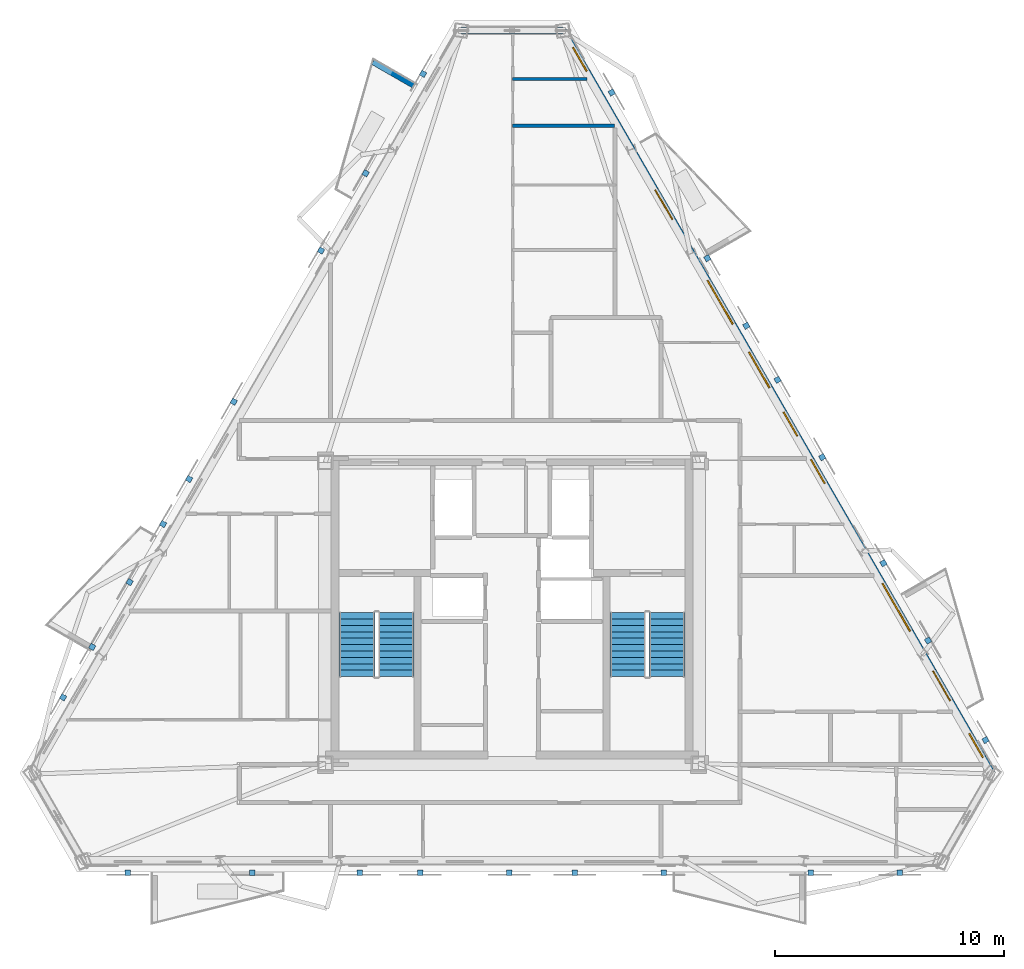
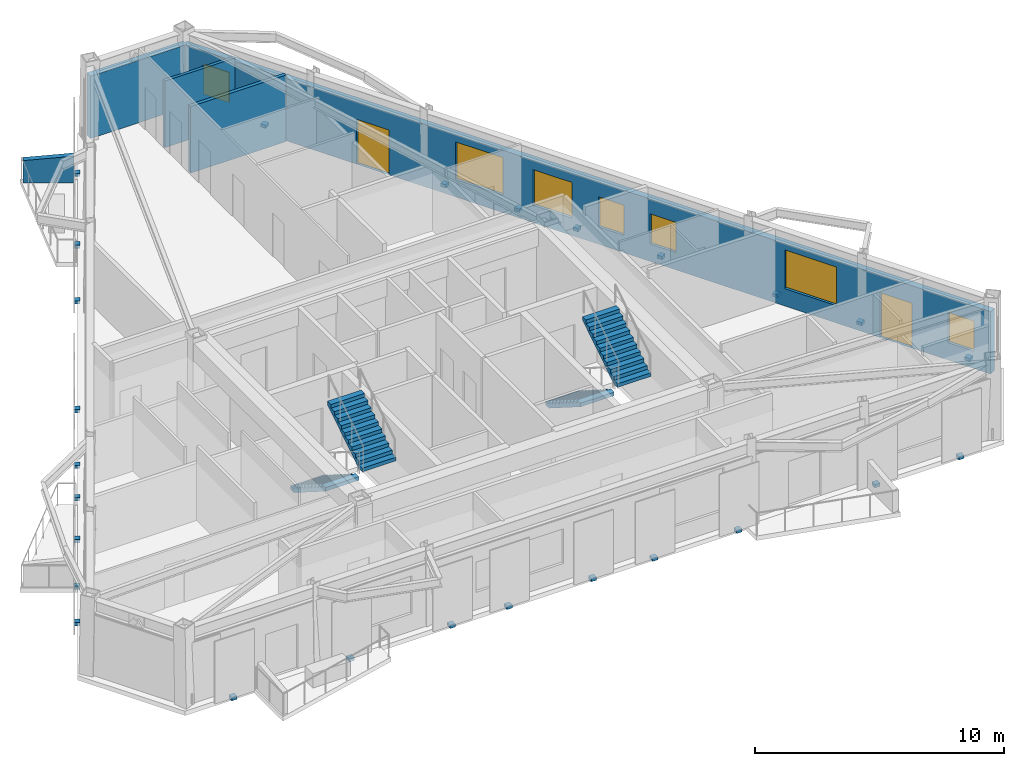
# One storey, part 6 of 9: 26 discrete accessories, 7 windows, 5 walls, 4 stair flights, 2 doors, 9 openings, 2 elements without a shape of their own.
"""IFC4 building model written with IfcOpenShell, lengths in metres."""

from ifc_helpers import new_model, si_unit, direction, frame, frame_2d, origin, origin_2d, place, context, subcontext, project, spatial, polyline, rectangle, outline, extrude, material, layer, layer_set, type_object, element, fill, aggregate, save


model = new_model("IFC4")

# Units and contexts
model_context = context("Model", 3, precision=1e-05, world=origin(), true_north=direction((0.0, 1.0)))
body_context = subcontext(model_context, "Body", "Model", "MODEL_VIEW")
ifc_project = project(units=[si_unit("LENGTHUNIT", "METRE"), si_unit("AREAUNIT", "SQUARE_METRE"), si_unit("VOLUMEUNIT", "CUBIC_METRE"), si_unit("PLANEANGLEUNIT", "RADIAN"), si_unit("MASSUNIT", "GRAM", prefix="KILO")], contexts=[model_context])

# Site, building, storey
site_placement = place(None, origin())
site = spatial("IfcSite", under=ifc_project, at=site_placement, CompositionType="ELEMENT")
building_placement = place(site_placement, origin())
building = spatial("IfcBuilding", under=site, at=building_placement, Name="Oramaril Tower", CompositionType="ELEMENT")
storey_placement = place(building_placement, frame((0.0, 0.0, 281.10009765625)))
storey = spatial("IfcBuildingStorey", under=building, at=storey_placement, Name="L74", CompositionType="ELEMENT", Elevation=281.10009765625)

# Wall, openings, doors, windows
ifc_material_1 = material(Name="Warm Cream Limestone", Category="masonry")
ifc_layer_1 = layer(ifc_material_1, 0.2900390625)
ifc_layer_set_1 = layer_set([ifc_layer_1], Name="WT-EXT29")
wall_type_1 = type_object("IfcWallType", Name="WT-EXT29", PredefinedType="SOLIDWALL", material=ifc_layer_set_1)
wall_1_placement = place(storey_placement, frame((58.45361328125, 10.584228515625, 0.0), z_axis=(0.0, 0.0, 1.0), x_axis=(-0.500002460556, 0.866023983177, 0.0)))
wall_1 = element("IfcWall", 1, at=wall_1_placement, inside=storey, type_object=wall_type_1, Name="L74 Tower Limestone Facade Wall 4M", PredefinedType="SOLIDWALL", context=body_context, shape_type="SweptSolid", body=[
    extrude(rectangle(XDim=37.435302734375, YDim=0.2900390625, at=frame_2d((18.7177734375, 0.0))), origin(), (0.0, 0.0, 1.0), 3.057861328125),
])
opening_1_placement = place(wall_1_placement, frame((3.639404296875, 0.0, 0.0)))
opening_1 = element("IfcOpeningElement", 2, at=opening_1_placement, cuts=wall_1, Name="Opening D-L74-BAL-NE1", PredefinedType="OPENING", context=body_context, shape_type="SweptSolid", body=[
    extrude(rectangle(XDim=1.5, YDim=2.199951171875, at=frame_2d((0.75, 1.10009765625))), frame((0.0, 0.14501953125, 0.0), z_axis=(0.0, -1.0, 0.0), x_axis=(1.0, 0.0, 0.0)), (0.0, 0.0, 1.0), 0.2900390625),
])
opening_2_placement = place(wall_1_placement, frame((27.90087890625, 0.0, 0.0)))
opening_2 = element("IfcOpeningElement", 3, at=opening_2_placement, cuts=wall_1, Name="Opening D-L74-BAL-NE2", PredefinedType="OPENING", context=body_context, shape_type="SweptSolid", body=[
    extrude(rectangle(XDim=1.5, YDim=2.199951171875, at=frame_2d((0.75, 1.10009765625))), frame((0.0, 0.14501953125, 0.0), z_axis=(0.0, -1.0, 0.0), x_axis=(1.0, 0.0, 0.0)), (0.0, 0.0, 1.0), 0.2900390625),
])
opening_3_placement = place(wall_1_placement, frame((0.78173828125, 0.0, 0.85009765625)))
opening_3 = element("IfcOpeningElement", 4, at=opening_3_placement, cuts=wall_1, Name="Opening WN-09", PredefinedType="OPENING", context=body_context, shape_type="SweptSolid", body=[
    extrude(rectangle(XDim=1.199951171875, YDim=1.47998046875, at=frame_2d((0.60009765625, 0.739990234375))), frame((0.0, 0.14501953125, 0.0), z_axis=(0.0, -1.0, 0.0), x_axis=(1.0, 0.0, 0.0)), (0.0, 0.0, 1.0), 0.2900390625),
])
opening_4_placement = place(wall_1_placement, frame((7.149169921875, 0.0, 0.85009765625)))
opening_4 = element("IfcOpeningElement", 5, at=opening_4_placement, cuts=wall_1, Name="Opening WN-03", PredefinedType="OPENING", context=body_context, shape_type="SweptSolid", body=[
    extrude(rectangle(XDim=2.39990234375, YDim=1.89990234375, at=frame_2d((1.199951171875, 0.949951171875))), frame((0.0, 0.14501953125, 0.0), z_axis=(0.0, -1.0, 0.0), x_axis=(1.0, 0.0, 0.0)), (0.0, 0.0, 1.0), 0.2900390625),
])
opening_5_placement = place(wall_1_placement, frame((35.3798828125, 0.0, 0.85009765625)))
opening_5 = element("IfcOpeningElement", 6, at=opening_5_placement, cuts=wall_1, Name="Opening WN-09", PredefinedType="OPENING", context=body_context, shape_type="SweptSolid", body=[
    extrude(rectangle(XDim=1.199951171875, YDim=1.47998046875, at=frame_2d((0.60009765625, 0.739990234375))), frame((0.0, 0.14501953125, 0.0), z_axis=(0.0, -1.0, 0.0), x_axis=(1.0, 0.0, 0.0)), (0.0, 0.0, 1.0), 0.2900390625),
])
opening_6_placement = place(wall_1_placement, frame((16.993896484375, 0.0, 0.85009765625)))
opening_6 = element("IfcOpeningElement", 7, at=opening_6_placement, cuts=wall_1, Name="Opening WN-09", PredefinedType="OPENING", context=body_context, shape_type="SweptSolid", body=[
    extrude(rectangle(XDim=1.199951171875, YDim=1.47998046875, at=frame_2d((0.60009765625, 0.739990234375))), frame((0.0, 0.14501953125, 0.0), z_axis=(0.0, -1.0, 0.0), x_axis=(1.0, 0.0, 0.0)), (0.0, 0.0, 1.0), 0.2900390625),
])
opening_7_placement = place(wall_1_placement, frame((19.422607421875, 0.0, 0.85009765625)))
opening_7 = element("IfcOpeningElement", 8, at=opening_7_placement, cuts=wall_1, Name="Opening WN-06", PredefinedType="OPENING", context=body_context, shape_type="SweptSolid", body=[
    extrude(rectangle(XDim=1.800048828125, YDim=1.75, at=frame_2d((0.89990234375, 0.875))), frame((0.0, 0.14501953125, 0.0), z_axis=(0.0, -1.0, 0.0), x_axis=(1.0, 0.0, 0.0)), (0.0, 0.0, 1.0), 0.2900390625),
])
opening_8_placement = place(wall_1_placement, frame((22.625732421875, 0.0, 0.85009765625)))
opening_8 = element("IfcOpeningElement", 9, at=opening_8_placement, cuts=wall_1, Name="Opening WN-04", PredefinedType="OPENING", context=body_context, shape_type="SweptSolid", body=[
    extrude(rectangle(XDim=2.199951171875, YDim=1.85009765625, at=frame_2d((1.10009765625, 0.925048828125))), frame((0.0, 0.14501953125, 0.0), z_axis=(0.0, -1.0, 0.0), x_axis=(1.0, 0.0, 0.0)), (0.0, 0.0, 1.0), 0.2900390625),
])
opening_9_placement = place(wall_1_placement, frame((14.597900390625, 0.0, 0.85009765625)))
opening_9 = element("IfcOpeningElement", 10, at=opening_9_placement, cuts=wall_1, Name="Opening WN-09", PredefinedType="OPENING", context=body_context, shape_type="SweptSolid", body=[
    extrude(rectangle(XDim=1.199951171875, YDim=1.47998046875, at=frame_2d((0.60009765625, 0.739990234375))), frame((0.0, 0.14501953125, 0.0), z_axis=(0.0, -1.0, 0.0), x_axis=(1.0, 0.0, 0.0)), (0.0, 0.0, 1.0), 0.2900390625),
])
ifc_material_2 = material(Name="Anodised Aluminium 6063-T6", Category="aluminium")
door_type = type_object("IfcDoorType", Name="DT-BAL", OperationType="NOTDEFINED", PredefinedType="DOOR", material=ifc_material_2)
door_1_placement = place(opening_1_placement, origin())
door_1 = element("IfcDoor", 11, at=door_1_placement, inside=storey, type_object=door_type, Name="L74 Balcony Glazed Door L74-BAL-NE1", OperationType="SINGLE_SWING_LEFT", OverallHeight=2.199951171875, OverallWidth=1.5, PredefinedType="DOOR", context=body_context, shape_type="SweptSolid", body=[
    extrude(rectangle(XDim=1.5, YDim=2.199951171875, at=frame_2d((0.75, 1.10009765625))), frame((0.0, 0.02490234375, 0.0), z_axis=(0.0, -1.0, 0.0), x_axis=(1.0, 0.0, 0.0)), (0.0, 0.0, 1.0), 0.050048828125),
])
fill(opening_1, door_1)
door_2_placement = place(opening_2_placement, origin())
door_2 = element("IfcDoor", 12, at=door_2_placement, inside=storey, type_object=door_type, Name="L74 Balcony Glazed Door L74-BAL-NE2", OperationType="SINGLE_SWING_RIGHT", OverallHeight=2.199951171875, OverallWidth=1.5, PredefinedType="DOOR", context=body_context, shape_type="SweptSolid", body=[
    extrude(rectangle(XDim=1.5, YDim=2.199951171875, at=frame_2d((0.75, 1.10009765625))), frame((0.0, 0.02490234375, 0.0), z_axis=(0.0, -1.0, 0.0), x_axis=(1.0, 0.0, 0.0)), (0.0, 0.0, 1.0), 0.050048828125),
])
fill(opening_2, door_2)
ifc_material_3 = material(Name="Coastal Low-E Insulated Glass", Category="glass")
window_type_1 = type_object("IfcWindowType", Name="WNT-03", PartitioningType="SINGLE_PANEL", PredefinedType="WINDOW", material=ifc_material_3)
window_1_placement = place(opening_4_placement, origin())
window_1 = element("IfcWindow", 13, at=window_1_placement, inside=storey, type_object=window_type_1, Name="L74 Chicago Bay Window WN-03", OverallHeight=1.89990234375, OverallWidth=2.39990234375, PartitioningType="SINGLE_PANEL", PredefinedType="WINDOW", context=body_context, shape_type="SweptSolid", body=[
    extrude(rectangle(XDim=2.39990234375, YDim=1.89990234375, at=frame_2d((1.199951171875, 0.949951171875))), frame((0.0, 0.030029296875, 0.0), z_axis=(0.0, -1.0, 0.0), x_axis=(1.0, 0.0, 0.0)), (0.0, 0.0, 1.0), 0.06005859375),
])
fill(opening_4, window_1)
ifc_material_4 = material(Name="Coastal Low-E Insulated Glass", Category="glass")
window_type_2 = type_object("IfcWindowType", Name="WNT-04", PartitioningType="SINGLE_PANEL", PredefinedType="WINDOW", material=ifc_material_4)
window_2_placement = place(opening_8_placement, origin())
window_2 = element("IfcWindow", 14, at=window_2_placement, inside=storey, type_object=window_type_2, Name="L74 Chicago Bay Window WN-04", OverallHeight=1.85009765625, OverallWidth=2.199951171875, PartitioningType="SINGLE_PANEL", PredefinedType="WINDOW", context=body_context, shape_type="SweptSolid", body=[
    extrude(rectangle(XDim=2.199951171875, YDim=1.85009765625, at=frame_2d((1.10009765625, 0.925048828125))), frame((0.0, 0.030029296875, 0.0), z_axis=(0.0, -1.0, 0.0), x_axis=(1.0, 0.0, 0.0)), (0.0, 0.0, 1.0), 0.06005859375),
])
fill(opening_8, window_2)
ifc_material_5 = material(Name="Coastal Low-E Insulated Glass", Category="glass")
window_type_3 = type_object("IfcWindowType", Name="WNT-06", PartitioningType="SINGLE_PANEL", PredefinedType="WINDOW", material=ifc_material_5)
window_3_placement = place(opening_7_placement, origin())
window_3 = element("IfcWindow", 15, at=window_3_placement, inside=storey, type_object=window_type_3, Name="L74 Chicago Bay Window WN-06", OverallHeight=1.75, OverallWidth=1.800048828125, PartitioningType="SINGLE_PANEL", PredefinedType="WINDOW", context=body_context, shape_type="SweptSolid", body=[
    extrude(rectangle(XDim=1.800048828125, YDim=1.75, at=frame_2d((0.89990234375, 0.875))), frame((0.0, 0.030029296875, 0.0), z_axis=(0.0, -1.0, 0.0), x_axis=(1.0, 0.0, 0.0)), (0.0, 0.0, 1.0), 0.06005859375),
])
fill(opening_7, window_3)
ifc_material_6 = material(Name="Coastal Low-E Insulated Glass", Category="glass")
window_type_4 = type_object("IfcWindowType", Name="WNT-09", PartitioningType="SINGLE_PANEL", PredefinedType="WINDOW", material=ifc_material_6)
window_4_placement = place(opening_3_placement, origin())
window_4 = element("IfcWindow", 16, at=window_4_placement, inside=storey, type_object=window_type_4, Name="L74 Chicago Bay Window WN-09", OverallHeight=1.47998046875, OverallWidth=1.199951171875, PartitioningType="SINGLE_PANEL", PredefinedType="WINDOW", context=body_context, shape_type="SweptSolid", body=[
    extrude(rectangle(XDim=1.199951171875, YDim=1.47998046875, at=frame_2d((0.60009765625, 0.739990234375))), frame((0.0, 0.030029296875, 0.0), z_axis=(0.0, -1.0, 0.0), x_axis=(1.0, 0.0, 0.0)), (0.0, 0.0, 1.0), 0.06005859375),
])
fill(opening_3, window_4)
window_5_placement = place(opening_5_placement, origin())
window_5 = element("IfcWindow", 17, at=window_5_placement, inside=storey, type_object=window_type_4, Name="L74 Chicago Bay Window WN-09", OverallHeight=1.47998046875, OverallWidth=1.199951171875, PartitioningType="SINGLE_PANEL", PredefinedType="WINDOW", context=body_context, shape_type="SweptSolid", body=[
    extrude(rectangle(XDim=1.199951171875, YDim=1.47998046875, at=frame_2d((0.60009765625, 0.739990234375))), frame((0.0, 0.030029296875, 0.0), z_axis=(0.0, -1.0, 0.0), x_axis=(1.0, 0.0, 0.0)), (0.0, 0.0, 1.0), 0.06005859375),
])
fill(opening_5, window_5)
window_6_placement = place(opening_6_placement, origin())
window_6 = element("IfcWindow", 18, at=window_6_placement, inside=storey, type_object=window_type_4, Name="L74 Chicago Bay Window WN-09", OverallHeight=1.47998046875, OverallWidth=1.199951171875, PartitioningType="SINGLE_PANEL", PredefinedType="WINDOW", context=body_context, shape_type="SweptSolid", body=[
    extrude(rectangle(XDim=1.199951171875, YDim=1.47998046875, at=frame_2d((0.60009765625, 0.739990234375))), frame((0.0, 0.030029296875, 0.0), z_axis=(0.0, -1.0, 0.0), x_axis=(1.0, 0.0, 0.0)), (0.0, 0.0, 1.0), 0.06005859375),
])
fill(opening_6, window_6)
window_7_placement = place(opening_9_placement, origin())
window_7 = element("IfcWindow", 19, at=window_7_placement, inside=storey, type_object=window_type_4, Name="L74 Apartment Bedroom Window WN-09", OverallHeight=1.47998046875, OverallWidth=1.199951171875, PartitioningType="SINGLE_PANEL", PredefinedType="WINDOW", context=body_context, shape_type="SweptSolid", body=[
    extrude(rectangle(XDim=1.199951171875, YDim=1.47998046875, at=frame_2d((0.60009765625, 0.739990234375))), frame((0.0, 0.030029296875, 0.0), z_axis=(0.0, -1.0, 0.0), x_axis=(1.0, 0.0, 0.0)), (0.0, 0.0, 1.0), 0.06005859375),
])
fill(opening_9, window_7)

# Walls
wall_2_placement = place(storey_placement, frame((39.73583984375, 43.004150390625, 0.0), z_axis=(0.0, 0.0, 1.0), x_axis=(-1.0, 0.0, 0.0)))
element("IfcWall", 20, at=wall_2_placement, inside=storey, type_object=wall_type_1, Name="L74 Tower Limestone Facade Wall 5M", PredefinedType="SOLIDWALL", context=body_context, shape_type="SweptSolid", body=[
    extrude(rectangle(XDim=4.4716796875, YDim=0.2900390625, at=frame_2d((2.23583984375, 0.0))), origin(), (0.0, 0.0, 1.0), 3.057861328125),
])
ifc_material_7 = material(Name="Concrete C40/50", Category="concrete")
ifc_layer_2 = layer(ifc_material_7, 0.22998046875)
ifc_layer_set_2 = layer_set([ifc_layer_2], Name="WT-PRP23")
wall_type_2 = type_object("IfcWallType", Name="WT-PRP23", PredefinedType="PARAPET", material=ifc_layer_set_2)
wall_3_placement = place(storey_placement, frame((33.189208984375, 40.60595703125, 0.0), z_axis=(0.0, 0.0, 1.0), x_axis=(-0.866042246008, 0.499970827278, 0.0)))
element("IfcWall", 21, at=wall_3_placement, inside=storey, type_object=wall_type_2, Name="L74 Trapezoidal Balcony Frame Cheek L74-BAL-NW1-L", PredefinedType="PARAPET", context=body_context, shape_type="SweptSolid", body=[
    extrude(outline(polyline([(0.0, 0.0), (2.0419921875, 0.0), (2.0419921875, 1.099853515625), (0.0, 1.31982421875), (0.0, 0.0)])), frame((0.0, 0.114990234375, 0.0), z_axis=(0.0, -1.0, 0.0), x_axis=(1.0, 0.0, 0.0)), (0.0, 0.0, 1.0), 0.22998046875),
])
ifc_material_8 = material(Name="Acoustic Gypsum Board Partition")
ifc_layer_3 = layer(ifc_material_8, 0.139892578125)
ifc_layer_set_3 = layer_set([ifc_layer_3], Name="WT-PT14")
wall_type_3 = type_object("IfcWallType", Name="WT-PT14", PredefinedType="PARTITIONING", material=ifc_layer_set_3)
wall_4_placement = place(storey_placement, frame((37.52880859375, 40.889892578125, 0.0), z_axis=(0.0, 0.0, 1.0), x_axis=(1.0, 0.0, 0.0)))
element("IfcWall", 22, at=wall_4_placement, inside=storey, type_object=wall_type_3, Name="L74 Interior Partition PT-14", PredefinedType="PARTITIONING", context=body_context, shape_type="SweptSolid", body=[
    extrude(rectangle(XDim=3.255615234375, YDim=0.139892578125, at=frame_2d((1.6279296875, 0.0))), origin(), (0.0, 0.0, 1.0), 3.265869140625),
])
ifc_material_9 = material(Name="Acoustic Gypsum Board Partition")
ifc_layer_4 = layer(ifc_material_9, 0.159912109375)
ifc_layer_set_4 = layer_set([ifc_layer_4], Name="WT-PT16")
wall_type_4 = type_object("IfcWallType", Name="WT-PT16", PredefinedType="PARTITIONING", material=ifc_layer_set_4)
wall_5_placement = place(storey_placement, frame((37.52880859375, 38.840087890625, 0.0), z_axis=(0.0, 0.0, 1.0), x_axis=(1.0, 0.0, 0.0)))
element("IfcWall", 23, at=wall_5_placement, inside=storey, type_object=wall_type_4, Name="L74 Interior Partition PT-16", PredefinedType="PARTITIONING", context=body_context, shape_type="SweptSolid", body=[
    extrude(rectangle(XDim=4.439208984375, YDim=0.159912109375, at=frame_2d((2.2197265625, 0.0))), origin(), (0.0, 0.0, 1.0), 3.265869140625),
])

# Stair, stair flights
ifc_material_10 = material(Name="Concrete C50/60", Category="concrete")
stair_type = type_object("IfcStairType", Name="STT-DG-3900", PredefinedType="HALF_TURN_STAIR", material=ifc_material_10)
stair_1_placement = place(storey_placement, origin())
stair_1 = element("IfcStair", 24, at=stair_1_placement, inside=storey, type_object=stair_type, Name="L74 Protected PFP Exit Stair ST-1", PredefinedType="HALF_TURN_STAIR")
ifc_material_11 = material(Name="Concrete C50/60", Category="concrete")
stair_flight_type = type_object("IfcStairFlightType", Name="SFT-DG-3900", PredefinedType="STRAIGHT", material=ifc_material_11)
stair_flight_1_placement = place(storey_placement, frame((30.72998046875, 17.590087890625, 0.0), z_axis=(0.0, 0.0, 1.0), x_axis=(0.0, -1.0, 0.0)))
stair_flight_1 = element("IfcStairFlight", 25, at=stair_flight_1_placement, type_object=stair_flight_type, Name="ST-1 flight 1", NumberOfRisers=11, NumberOfTreads=10, PredefinedType="STRAIGHT", RiserHeight=0.177272727, TreadLength=0.28, context=body_context, shape_type="SweptSolid", body=[
    extrude(outline(polyline([(0.0, 0.0), (0.0, 0.17724609375), (0.280029296875, 0.17724609375), (0.280029296875, 0.3544921875), (0.56005859375, 0.3544921875), (0.56005859375, 0.53173828125), (0.840087890625, 0.53173828125), (0.840087890625, 0.708984375), (1.1201171875, 0.708984375), (1.1201171875, 0.886474609375), (1.39990234375, 0.886474609375), (1.39990234375, 1.063720703125), (1.679931640625, 1.063720703125), (1.679931640625, 1.240966796875), (1.9599609375, 1.240966796875), (1.9599609375, 1.418212890625), (2.239990234375, 1.418212890625), (2.239990234375, 1.595458984375), (2.52001953125, 1.595458984375), (2.52001953125, 1.772705078125), (2.800048828125, 1.772705078125), (2.800048828125, 1.949951171875), (2.800048828125, 1.59521484375), (0.2802734375, 0.0), (0.0, 0.0)])), frame((0.0, 0.780029296875, 0.0), z_axis=(0.0, -1.0, 0.0), x_axis=(1.0, 0.0, 0.0)), (0.0, 0.0, 1.0), 1.56005859375),
])
stair_flight_2_placement = place(storey_placement, frame((32.43994140625, 14.7900390625, 1.949951171875), z_axis=(0.0, 0.0, 1.0), x_axis=(0.0, 1.0, 0.0)))
stair_flight_2 = element("IfcStairFlight", 26, at=stair_flight_2_placement, type_object=stair_flight_type, Name="ST-1 flight 2", NumberOfRisers=11, NumberOfTreads=10, PredefinedType="STRAIGHT", RiserHeight=0.177272727, TreadLength=0.28, context=body_context, shape_type="SweptSolid", body=[
    extrude(outline(polyline([(0.0, 0.0), (0.0, 0.17724609375), (0.280029296875, 0.17724609375), (0.280029296875, 0.3544921875), (0.56005859375, 0.3544921875), (0.56005859375, 0.53173828125), (0.840087890625, 0.53173828125), (0.840087890625, 0.708984375), (1.1201171875, 0.708984375), (1.1201171875, 0.886474609375), (1.39990234375, 0.886474609375), (1.39990234375, 1.063720703125), (1.679931640625, 1.063720703125), (1.679931640625, 1.240966796875), (1.9599609375, 1.240966796875), (1.9599609375, 1.418212890625), (2.239990234375, 1.418212890625), (2.239990234375, 1.595458984375), (2.52001953125, 1.595458984375), (2.52001953125, 1.772705078125), (2.800048828125, 1.772705078125), (2.800048828125, 1.949951171875), (2.800048828125, 1.59521484375), (0.2802734375, 0.0), (0.0, 0.0)])), frame((0.0, 0.780029296875, 0.0), z_axis=(0.0, -1.0, 0.0), x_axis=(1.0, 0.0, 0.0)), (0.0, 0.0, 1.0), 1.56005859375),
])
aggregate(stair_1, [stair_flight_1, stair_flight_2])

stair_2_placement = place(storey_placement, origin())
stair_2 = element("IfcStair", 27, at=stair_2_placement, inside=storey, type_object=stair_type, Name="L74 Protected PFP Exit Stair ST-2", PredefinedType="HALF_TURN_STAIR")
stair_flight_3_placement = place(storey_placement, frame((42.56005859375, 17.590087890625, 0.0), z_axis=(0.0, 0.0, 1.0), x_axis=(0.0, -1.0, 0.0)))
stair_flight_3 = element("IfcStairFlight", 28, at=stair_flight_3_placement, type_object=stair_flight_type, Name="ST-2 flight 1", NumberOfRisers=11, NumberOfTreads=10, PredefinedType="STRAIGHT", RiserHeight=0.177272727, TreadLength=0.28, context=body_context, shape_type="SweptSolid", body=[
    extrude(outline(polyline([(0.0, 0.0), (0.0, 0.17724609375), (0.280029296875, 0.17724609375), (0.280029296875, 0.3544921875), (0.56005859375, 0.3544921875), (0.56005859375, 0.53173828125), (0.840087890625, 0.53173828125), (0.840087890625, 0.708984375), (1.1201171875, 0.708984375), (1.1201171875, 0.886474609375), (1.39990234375, 0.886474609375), (1.39990234375, 1.063720703125), (1.679931640625, 1.063720703125), (1.679931640625, 1.240966796875), (1.9599609375, 1.240966796875), (1.9599609375, 1.418212890625), (2.239990234375, 1.418212890625), (2.239990234375, 1.595458984375), (2.52001953125, 1.595458984375), (2.52001953125, 1.772705078125), (2.800048828125, 1.772705078125), (2.800048828125, 1.949951171875), (2.800048828125, 1.59521484375), (0.2802734375, 0.0), (0.0, 0.0)])), frame((0.0, 0.780029296875, 0.0), z_axis=(0.0, -1.0, 0.0), x_axis=(1.0, 0.0, 0.0)), (0.0, 0.0, 1.0), 1.56005859375),
])
stair_flight_4_placement = place(storey_placement, frame((44.27001953125, 14.7900390625, 1.949951171875), z_axis=(0.0, 0.0, 1.0), x_axis=(0.0, 1.0, 0.0)))
stair_flight_4 = element("IfcStairFlight", 29, at=stair_flight_4_placement, type_object=stair_flight_type, Name="ST-2 flight 2", NumberOfRisers=11, NumberOfTreads=10, PredefinedType="STRAIGHT", RiserHeight=0.177272727, TreadLength=0.28, context=body_context, shape_type="SweptSolid", body=[
    extrude(outline(polyline([(0.0, 0.0), (0.0, 0.17724609375), (0.280029296875, 0.17724609375), (0.280029296875, 0.3544921875), (0.56005859375, 0.3544921875), (0.56005859375, 0.53173828125), (0.840087890625, 0.53173828125), (0.840087890625, 0.708984375), (1.1201171875, 0.708984375), (1.1201171875, 0.886474609375), (1.39990234375, 0.886474609375), (1.39990234375, 1.063720703125), (1.679931640625, 1.063720703125), (1.679931640625, 1.240966796875), (1.9599609375, 1.240966796875), (1.9599609375, 1.418212890625), (2.239990234375, 1.418212890625), (2.239990234375, 1.595458984375), (2.52001953125, 1.595458984375), (2.52001953125, 1.772705078125), (2.800048828125, 1.772705078125), (2.800048828125, 1.949951171875), (2.800048828125, 1.59521484375), (0.2802734375, 0.0), (0.0, 0.0)])), frame((0.0, 0.780029296875, 0.0), z_axis=(0.0, -1.0, 0.0), x_axis=(1.0, 0.0, 0.0)), (0.0, 0.0, 1.0), 1.56005859375),
])
aggregate(stair_2, [stair_flight_3, stair_flight_4])

# Discrete accessories
for number, where, z_axis, x_axis, name in (
    (30, (33.487060546875, 6.231689453125, -0.14013671875), (0.0, 0.0, 1.0), (1.0, 0.0, 0.0), "L74 Solar Screen Slab Bracket"),
    (31, (37.38720703125, 6.231689453125, -0.14013671875), (0.0, 0.0, 1.0), (1.0, 0.0, 0.0), "L74 Solar Screen Slab Bracket"),
    (32, (40.23046875, 6.231689453125, -0.14013671875), (0.0, 0.0, 1.0), (1.0, 0.0, 0.0), "L74 Solar Screen Slab Bracket"),
    (33, (44.130615234375, 6.231689453125, -0.14013671875), (0.0, 0.0, 1.0), (1.0, 0.0, 0.0), "L74 Solar Screen Slab Bracket"),
    (34, (30.843017578125, 6.231689453125, -0.14013671875), (0.0, 0.0, 1.0), (1.0, 0.0, 0.0), "L74 Solar Screen Slab Bracket"),
    (35, (50.537353515625, 6.231689453125, -0.14013671875), (0.0, 0.0, 1.0), (1.0, 0.0, 0.0), "L74 Solar Screen Slab Bracket"),
    (36, (54.4375, 6.231689453125, -0.14013671875), (0.0, 0.0, 1.0), (1.0, 0.0, 0.0), "L74 Solar Screen Slab Bracket"),
    (37, (20.722412109375, 6.231689453125, -0.14013671875), (0.0, 0.0, 1.0), (1.0, 0.0, 0.0), "L74 Solar Screen Slab Bracket"),
    (38, (26.1572265625, 6.231689453125, -0.14013671875), (0.0, 0.0, 1.0), (1.0, 0.0, 0.0), "L74 Solar Screen Slab Bracket"),
    (39, (58.17822265625, 12.020751953125, -0.14013671875), (0.0, 0.0, 1.0), (-0.5, 0.866025403784, 0.0), "L74 Solar Screen Slab Bracket"),
    (40, (55.669677734375, 16.365966796875, -0.14013671875), (0.0, 0.0, 1.0), (-0.5, 0.866025403784, 0.0), "L74 Solar Screen Slab Bracket"),
    (41, (53.719482421875, 19.743408203125, -0.14013671875), (0.0, 0.0, 1.0), (-0.5, 0.866025403784, 0.0), "L74 Solar Screen Slab Bracket"),
    (42, (41.854248046875, 40.294921875, -0.14013671875), (0.0, 0.0, 1.0), (-0.5, 0.866025403784, 0.0), "L74 Solar Screen Slab Bracket"),
    (43, (51.047119140625, 24.372314453125, -0.14013671875), (0.0, 0.0, 1.0), (-0.5, 0.866025403784, 0.0), "L74 Solar Screen Slab Bracket"),
    (44, (49.09716796875, 27.749755859375, -0.14013671875), (0.0, 0.0, 1.0), (-0.5, 0.866025403784, 0.0), "L74 Solar Screen Slab Bracket"),
    (45, (47.73291015625, 30.11279296875, -0.14013671875), (0.0, 0.0, 1.0), (-0.5, 0.866025403784, 0.0), "L74 Solar Screen Slab Bracket"),
    (46, (46.03125, 33.06005859375, -0.14013671875), (0.0, 0.0, 1.0), (-0.5, 0.866025403784, 0.0), "L74 Solar Screen Slab Bracket"),
    (47, (17.897705078125, 13.884765625, -0.14013671875), (0.0, 0.0, 1.0), (-0.5, -0.866025403784, 0.0), "L74 Solar Screen Slab Bracket"),
    (48, (20.802978515625, 18.91650390625, -0.14013671875), (0.0, 0.0, 1.0), (-0.5, -0.866025403784, 0.0), "L74 Solar Screen Slab Bracket"),
    (49, (19.1689453125, 16.08642578125, -0.14013671875), (0.0, 0.0, 1.0), (-0.5, -0.866025403784, 0.0), "L74 Solar Screen Slab Bracket"),
    (50, (25.350830078125, 26.793701171875, -0.14013671875), (0.0, 0.0, 1.0), (-0.5, -0.866025403784, 0.0), "L74 Solar Screen Slab Bracket"),
    (51, (23.40087890625, 23.416259765625, -0.14013671875), (0.0, 0.0, 1.0), (-0.5, -0.866025403784, 0.0), "L74 Solar Screen Slab Bracket"),
    (52, (22.2666015625, 21.451904296875, -0.14013671875), (0.0, 0.0, 1.0), (-0.5, -0.866025403784, 0.0), "L74 Solar Screen Slab Bracket"),
    (53, (33.61767578125, 41.1123046875, -0.14013671875), (0.0, 0.0, 1.0), (-0.5, -0.866025403784, 0.0), "L74 Solar Screen Slab Bracket"),
    (54, (31.11083984375, 36.770263671875, -0.14013671875), (0.0, 0.0, 1.0), (-0.5, -0.866025403784, 0.0), "L74 Solar Screen Slab Bracket"),
    (55, (29.160888671875, 33.392822265625, -0.14013671875), (0.0, 0.0, 1.0), (-0.5, -0.866025403784, 0.0), "L74 Solar Screen Slab Bracket"),
):
    element("IfcDiscreteAccessory", number, at=place(storey_placement, frame(where, z_axis=z_axis, x_axis=x_axis)), inside=storey, Name=name, PredefinedType="BRACKET", context=body_context, shape_type="SweptSolid", body=[
        extrude(rectangle(XDim=0.239990234375, YDim=0.239990234375, at=origin_2d()), origin(), (0.0, 0.0, 1.0), 0.159912109375),
    ])

save(model, "model.ifc")
